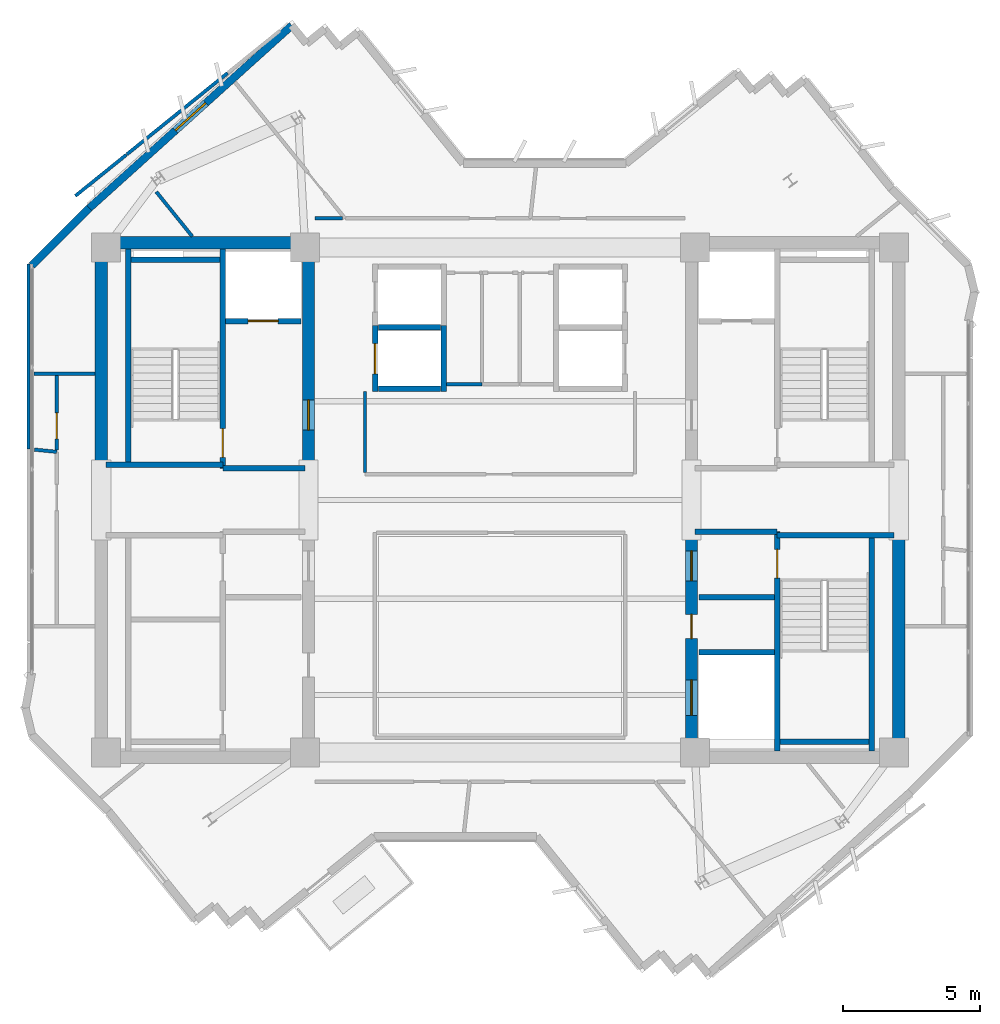
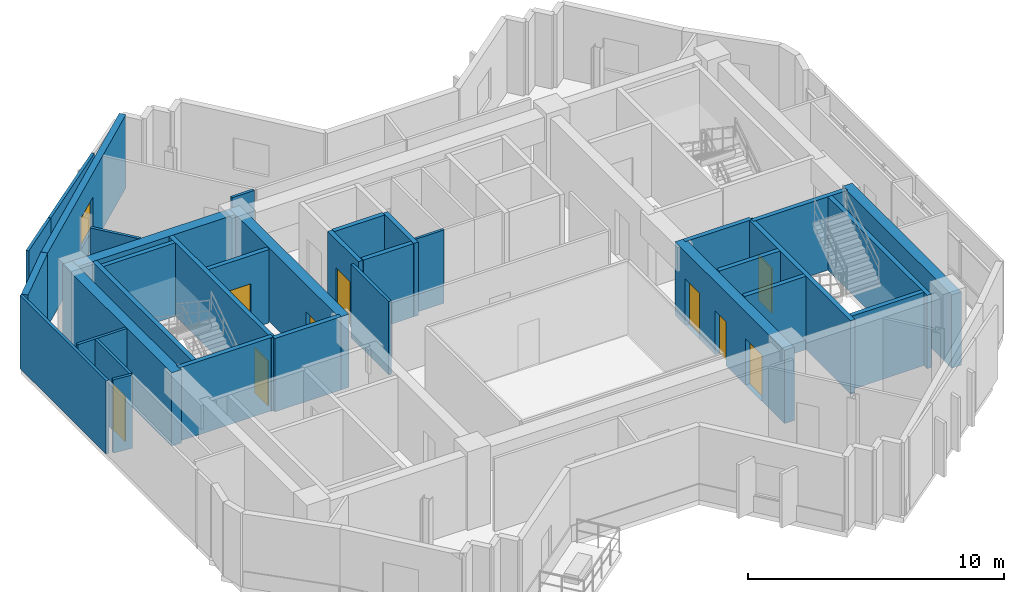
# One storey, part 7 of 11: 34 walls, 9 doors, 1 window, 10 openings.
"""IFC4 building model written with IfcOpenShell, lengths in metres."""

from ifc_helpers import new_model, si_unit, direction, frame, frame_2d, origin, place, context, subcontext, project, spatial, rectangle, extrude, source, transform, mapped, material, layer, layer_set, type_object, element, fill, save


model = new_model("IFC4")

# Units and contexts
model_context = context("Model", 3, precision=1e-05, world=origin(), true_north=direction((0.0, 1.0)))
body_context = subcontext(model_context, "Body", "Model", "MODEL_VIEW")
ifc_project = project(units=[si_unit("LENGTHUNIT", "METRE"), si_unit("AREAUNIT", "SQUARE_METRE"), si_unit("VOLUMEUNIT", "CUBIC_METRE"), si_unit("PLANEANGLEUNIT", "RADIAN"), si_unit("MASSUNIT", "GRAM", prefix="KILO")], contexts=[model_context])

# Site, building, storey
site_placement = place(None, origin())
site = spatial("IfcSite", under=ifc_project, at=site_placement, CompositionType="ELEMENT")
building_placement = place(site_placement, origin())
building = spatial("IfcBuilding", under=site, at=building_placement, Name="Zahravan Cultural Tower", CompositionType="ELEMENT")
storey_placement = place(building_placement, frame((0.0, 0.0, 287.85009765625)))
storey = spatial("IfcBuildingStorey", under=building, at=storey_placement, Name="L69", CompositionType="ELEMENT", Elevation=287.85009765625)

# Wall, opening, door
ifc_material_1 = material(Name="Concrete C50/60", Category="concrete")
ifc_layer_1 = layer(ifc_material_1, 0.449951171875)
ifc_layer_set_1 = layer_set([ifc_layer_1], Name="Concrete C50/60")
wall_type_1 = type_object("IfcWallType", Name="CW-SHEAR-450-C50", PredefinedType="SHEAR", material=ifc_layer_set_1)
wall_1_placement = place(storey_placement, frame((29.02490234375, 28.050048828125, 0.0), z_axis=(0.0, 0.0, 1.0), x_axis=(0.0, 1.0, 0.0)))
wall_1 = element("IfcWall", 1, at=wall_1_placement, inside=storey, type_object=wall_type_1, Name="L69 Core Shear Wall CW-W-EN-L69", PredefinedType="SHEAR", context=body_context, shape_type="SweptSolid", body=[
    extrude(rectangle(XDim=8.550048828125, YDim=0.449951171875, at=frame_2d((4.27490234375, 0.0))), origin(), (0.0, 0.0, 1.0), 3.5),
])
opening_1_placement = place(wall_1_placement, frame((1.5, 0.0, 0.0)))
opening_1 = element("IfcOpeningElement", 2, at=opening_1_placement, cuts=wall_1, Name="Opening D-L69-06", PredefinedType="OPENING", context=body_context, shape_type="SweptSolid", body=[
    extrude(rectangle(XDim=1.10009765625, YDim=2.199951171875, at=frame_2d((0.550048828125, 1.10009765625))), frame((0.0, 0.23486328125, 0.0), z_axis=(0.0, -1.0, 0.0), x_axis=(1.0, 0.0, 0.0)), (0.0, 0.0, 1.0), 0.469970703125),
])
ifc_material_2 = material(Name="Steel ASTM A572 Grade 50", Category="steel")
door_type_1 = type_object("IfcDoorType", Name="DR-LOBBY-1100", OperationType="NOTDEFINED", PredefinedType="DOOR", material=ifc_material_2)
shared_shape_1 = source(origin(), body_context, "Body", "SweptSolid", [
    extrude(rectangle(XDim=1.10009765625, YDim=2.199951171875, at=frame_2d((0.550048828125, 1.10009765625))), frame((0.0, 0.02490234375, 0.0), z_axis=(0.0, -1.0, 0.0), x_axis=(1.0, 0.0, 0.0)), (0.0, 0.0, 1.0), 0.050048828125),
])
door_1_placement = place(opening_1_placement, origin())
door_1 = element("IfcDoor", 3, at=door_1_placement, inside=storey, type_object=door_type_1, Name="L69 Door D-L69-06", OperationType="SINGLE_SWING_LEFT", OverallHeight=2.199951171875, OverallWidth=1.10009765625, PredefinedType="DOOR", context=body_context, shape_type="MappedRepresentation", body=[
    mapped(shared_shape_1, transform((0.0, 0.0, 0.0), x_axis=(1.0, 0.0, 0.0), y_axis=(0.0, 1.0, 0.0), z_axis=(0.0, 0.0, 1.0), scale=1.0)),
])
fill(opening_1, door_1)

# Wall, openings, doors
wall_2_placement = place(storey_placement, frame((42.97509765625, 17.39990234375, 0.0), z_axis=(0.0, 0.0, 1.0), x_axis=(0.0, 1.0, 0.0)))
wall_2 = element("IfcWall", 4, at=wall_2_placement, inside=storey, type_object=wall_type_1, Name="L69 Core Shear Wall CW-E-WS-L69", PredefinedType="SHEAR", context=body_context, shape_type="SweptSolid", body=[
    extrude(rectangle(XDim=8.550048828125, YDim=0.449951171875, at=frame_2d((4.27490234375, 0.0))), origin(), (0.0, 0.0, 1.0), 3.5),
])
opening_2_placement = place(wall_2_placement, frame((6.64990234375, 0.0, 0.0)))
opening_2 = element("IfcOpeningElement", 5, at=opening_2_placement, cuts=wall_2, Name="Opening D-L69-09", PredefinedType="OPENING", context=body_context, shape_type="SweptSolid", body=[
    extrude(rectangle(XDim=1.10009765625, YDim=2.199951171875, at=frame_2d((0.550048828125, 1.10009765625))), frame((0.0, 0.23486328125, 0.0), z_axis=(0.0, -1.0, 0.0), x_axis=(1.0, 0.0, 0.0)), (0.0, 0.0, 1.0), 0.469970703125),
])
opening_3_placement = place(wall_2_placement, frame((1.75, 0.0, 0.0)))
opening_3 = element("IfcOpeningElement", 6, at=opening_3_placement, cuts=wall_2, Name="Opening LD-L69-03", PredefinedType="OPENING", context=body_context, shape_type="SweptSolid", body=[
    extrude(rectangle(XDim=1.300048828125, YDim=2.199951171875, at=frame_2d((0.64990234375, 1.10009765625))), frame((0.0, 0.23486328125, 0.0), z_axis=(0.0, -1.0, 0.0), x_axis=(1.0, 0.0, 0.0)), (0.0, 0.0, 1.0), 0.469970703125),
])
opening_4_placement = place(wall_2_placement, frame((4.550048828125, 0.0, 0.0)))
opening_4 = element("IfcOpeningElement", 7, at=opening_4_placement, cuts=wall_2, Name="Opening D-L69-11", PredefinedType="OPENING", context=body_context, shape_type="SweptSolid", body=[
    extrude(rectangle(XDim=0.8798828125, YDim=2.10009765625, at=frame_2d((0.43994140625, 1.050048828125))), frame((0.0, 0.23486328125, 0.0), z_axis=(0.0, -1.0, 0.0), x_axis=(1.0, 0.0, 0.0)), (0.0, 0.0, 1.0), 0.469970703125),
])
door_2_placement = place(opening_2_placement, origin())
door_2 = element("IfcDoor", 8, at=door_2_placement, inside=storey, type_object=door_type_1, Name="L69 Door D-L69-09", OperationType="SINGLE_SWING_RIGHT", OverallHeight=2.199951171875, OverallWidth=1.10009765625, PredefinedType="DOOR", context=body_context, shape_type="MappedRepresentation", body=[
    mapped(shared_shape_1, transform((0.0, 0.0, 0.0), x_axis=(1.0, 0.0, 0.0), y_axis=(0.0, 1.0, 0.0), z_axis=(0.0, 0.0, 1.0), scale=1.0)),
])
fill(opening_2, door_2)
door_type_2 = type_object("IfcDoorType", Name="DR-LIFT-1300", OperationType="DOUBLE_DOOR_SLIDING", PredefinedType="DOOR", material=ifc_material_2)
shared_shape_2 = source(origin(), body_context, "Body", "SweptSolid", [
    extrude(rectangle(XDim=1.300048828125, YDim=2.199951171875, at=frame_2d((0.64990234375, 1.10009765625))), frame((0.0, 0.02490234375, 0.0), z_axis=(0.0, -1.0, 0.0), x_axis=(1.0, 0.0, 0.0)), (0.0, 0.0, 1.0), 0.050048828125),
])
door_3_placement = place(opening_3_placement, origin())
door_3 = element("IfcDoor", 9, at=door_3_placement, inside=storey, type_object=door_type_2, Name="L69 Door LD-L69-03", OperationType="DOUBLE_DOOR_SLIDING", OverallHeight=2.199951171875, OverallWidth=1.300048828125, PredefinedType="DOOR", context=body_context, shape_type="MappedRepresentation", body=[
    mapped(shared_shape_2, transform((0.0, 0.0, 0.0), x_axis=(1.0, 0.0, 0.0), y_axis=(0.0, 1.0, 0.0), z_axis=(0.0, 0.0, 1.0), scale=1.0)),
])
fill(opening_3, door_3)
door_type_3 = type_object("IfcDoorType", Name="DR-SVC-880", OperationType="NOTDEFINED", PredefinedType="DOOR", material=ifc_material_2)
shared_shape_3 = source(origin(), body_context, "Body", "SweptSolid", [
    extrude(rectangle(XDim=0.8798828125, YDim=2.10009765625, at=frame_2d((0.43994140625, 1.050048828125))), frame((0.0, 0.02490234375, 0.0), z_axis=(0.0, -1.0, 0.0), x_axis=(1.0, 0.0, 0.0)), (0.0, 0.0, 1.0), 0.050048828125),
])
door_4_placement = place(opening_4_placement, origin())
door_4 = element("IfcDoor", 10, at=door_4_placement, inside=storey, type_object=door_type_3, Name="L69 Door D-L69-11", OperationType="SINGLE_SWING_RIGHT", OverallHeight=2.10009765625, OverallWidth=0.8798828125, PredefinedType="DOOR", context=body_context, shape_type="MappedRepresentation", body=[
    mapped(shared_shape_3, transform((0.0, 0.0, 0.0), x_axis=(1.0, 0.0, 0.0), y_axis=(0.0, 1.0, 0.0), z_axis=(0.0, 0.0, 1.0), scale=1.0)),
])
fill(opening_4, door_4)

# Wall, opening, window
ifc_material_3 = material(Name="Precast concrete C40/50", Category="concrete")
ifc_layer_2 = layer(ifc_material_3, 0.280029296875)
ifc_layer_set_2 = layer_set([ifc_layer_2], Name="Precast concrete C40/50")
wall_type_2 = type_object("IfcWallType", Name="EW-TC-280", PredefinedType="SOLIDWALL", material=ifc_layer_set_2)
wall_3_placement = place(storey_placement, frame((21.0361328125, 37.63818359375, 0.0), z_axis=(0.0, 0.0, 1.0), x_axis=(0.742587457262, 0.669749108486, 0.0)))
wall_3 = element("IfcWall", 11, at=wall_3_placement, inside=storey, type_object=wall_type_2, Name="L69 Exterior Masonry Frame Wall 02", PredefinedType="SOLIDWALL", context=body_context, shape_type="SweptSolid", body=[
    extrude(rectangle(XDim=9.934814453125, YDim=0.280029296875, at=frame_2d((4.96728515625, 0.0))), origin(), (0.0, 0.0, 1.0), 3.5),
])
opening_5_placement = place(wall_3_placement, frame((4.217041015625, 0.0, 0.85009765625)))
opening_5 = element("IfcOpeningElement", 12, at=opening_5_placement, cuts=wall_3, Name="Opening WN-03", PredefinedType="OPENING", context=body_context, shape_type="SweptSolid", body=[
    extrude(rectangle(XDim=1.5, YDim=1.5, at=frame_2d((0.75, 0.75))), frame((0.0, 0.14990234375, 0.0), z_axis=(0.0, -1.0, 0.0), x_axis=(1.0, 0.0, 0.0)), (0.0, 0.0, 1.0), 0.300048828125),
])
ifc_material_4 = material(Name="Low-E solar-control double glazing", Category="glass")
window_type = type_object("IfcWindowType", Name="WN-REC-1500X1500", PartitioningType="SINGLE_PANEL", PredefinedType="WINDOW", material=ifc_material_4)
shared_shape_4 = source(origin(), body_context, "Body", "SweptSolid", [
    extrude(rectangle(XDim=1.5, YDim=1.5, at=frame_2d((0.75, 0.75))), frame((0.0, 0.030029296875, 0.0), z_axis=(0.0, -1.0, 0.0), x_axis=(1.0, 0.0, 0.0)), (0.0, 0.0, 1.0), 0.06005859375),
])
window_placement = place(opening_5_placement, origin())
window = element("IfcWindow", 13, at=window_placement, inside=storey, type_object=window_type, Name="L69 Recessed Solar Window 01", OverallHeight=1.5, OverallWidth=1.5, PartitioningType="SINGLE_PANEL", PredefinedType="WINDOW", context=body_context, shape_type="MappedRepresentation", body=[
    mapped(shared_shape_4, transform((0.0, 0.0, 0.0), x_axis=(1.0, 0.0, 0.0), y_axis=(0.0, 1.0, 0.0), z_axis=(0.0, 0.0, 1.0), scale=1.0)),
])
fill(opening_5, window)

# Wall, opening, door
ifc_material_5 = material(Name="Gypsum plasterboard partition")
ifc_layer_3 = layer(ifc_material_5, 0.125)
ifc_layer_set_3 = layer_set([ifc_layer_3], Name="Gypsum plasterboard partition")
wall_type_3 = type_object("IfcWallType", Name="W-PART-125", PredefinedType="PARTITIONING", material=ifc_layer_set_3)
wall_4_placement = place(storey_placement, frame((19.853515625, 31.599609375, 0.0), z_axis=(0.0, 0.0, 1.0), x_axis=(-0.00123022754, -0.99999924327, 0.0)))
wall_4 = element("IfcWall", 14, at=wall_4_placement, inside=storey, type_object=wall_type_3, Name="L69 Interior Wall 066", PredefinedType="PARTITIONING", context=body_context, shape_type="SweptSolid", body=[
    extrude(rectangle(XDim=2.7783203125, YDim=0.125, at=frame_2d((1.38916015625, 0.0))), origin(), (0.0, 0.0, 1.0), 3.5),
])
opening_6_placement = place(wall_4_placement, frame((1.42578125, 0.0, 0.0)))
opening_6 = element("IfcOpeningElement", 15, at=opening_6_placement, cuts=wall_4, Name="Opening D-L69-20", PredefinedType="OPENING", context=body_context, shape_type="SweptSolid", body=[
    extrude(rectangle(XDim=0.949951171875, YDim=2.14990234375, at=frame_2d((0.47509765625, 1.074951171875))), frame((0.0, 0.072509765625, 0.0), z_axis=(0.0, -1.0, 0.0), x_axis=(1.0, 0.0, 0.0)), (0.0, 0.0, 1.0), 0.14501953125),
])
ifc_material_6 = material(Name="Anodised bronze-aluminium mullion", Category="aluminium")
door_type_4 = type_object("IfcDoorType", Name="DR-ROOM-950", OperationType="NOTDEFINED", PredefinedType="DOOR", material=ifc_material_6)
shared_shape_5 = source(origin(), body_context, "Body", "SweptSolid", [
    extrude(rectangle(XDim=0.949951171875, YDim=2.14990234375, at=frame_2d((0.47509765625, 1.074951171875))), frame((0.0, 0.02490234375, 0.0), z_axis=(0.0, -1.0, 0.0), x_axis=(1.0, 0.0, 0.0)), (0.0, 0.0, 1.0), 0.050048828125),
])
door_5_placement = place(opening_6_placement, origin())
door_5 = element("IfcDoor", 16, at=door_5_placement, inside=storey, type_object=door_type_4, Name="L69 Door D-L69-20", OperationType="SINGLE_SWING_LEFT", OverallHeight=2.14990234375, OverallWidth=0.949951171875, PredefinedType="DOOR", context=body_context, shape_type="MappedRepresentation", body=[
    mapped(shared_shape_5, transform((0.0, 0.0, 0.0), x_axis=(1.0, 0.0, 0.0), y_axis=(0.0, 1.0, 0.0), z_axis=(0.0, 0.0, 1.0), scale=1.0)),
])
fill(opening_6, door_5)

ifc_material_7 = material(Name="Concrete C45/55", Category="concrete")
ifc_layer_4 = layer(ifc_material_7, 0.199951171875)
ifc_layer_set_4 = layer_set([ifc_layer_4], Name="Concrete C45/55")
wall_type_4 = type_object("IfcWallType", Name="W-SHAFT-200", PredefinedType="SOLIDWALL", material=ifc_layer_set_4)
wall_5_placement = place(storey_placement, frame((25.89990234375, 28.14990234375, 0.0), z_axis=(0.0, 0.0, 1.0), x_axis=(0.0, 1.0, 0.0)))
wall_5 = element("IfcWall", 17, at=wall_5_placement, inside=storey, type_object=wall_type_4, Name="L69 Interior Wall 006", PredefinedType="SOLIDWALL", context=body_context, shape_type="SweptSolid", body=[
    extrude(rectangle(XDim=8.0, YDim=0.199951171875, at=frame_2d((4.0, 0.0))), origin(), (0.0, 0.0, 1.0), 3.5),
])
opening_7_placement = place(wall_5_placement, frame((0.39990234375, 0.0, 0.0)))
opening_7 = element("IfcOpeningElement", 18, at=opening_7_placement, cuts=wall_5, Name="Opening D-L69-01", PredefinedType="OPENING", context=body_context, shape_type="SweptSolid", body=[
    extrude(rectangle(XDim=1.050048828125, YDim=2.14990234375, at=frame_2d((0.52490234375, 1.074951171875))), frame((0.0, 0.10986328125, 0.0), z_axis=(0.0, -1.0, 0.0), x_axis=(1.0, 0.0, 0.0)), (0.0, 0.0, 1.0), 0.219970703125),
])
door_type_5 = type_object("IfcDoorType", Name="DR-STAIR-1050", OperationType="NOTDEFINED", PredefinedType="DOOR", material=ifc_material_2)
shared_shape_6 = source(origin(), body_context, "Body", "SweptSolid", [
    extrude(rectangle(XDim=1.050048828125, YDim=2.14990234375, at=frame_2d((0.52490234375, 1.074951171875))), frame((0.0, 0.02490234375, 0.0), z_axis=(0.0, -1.0, 0.0), x_axis=(1.0, 0.0, 0.0)), (0.0, 0.0, 1.0), 0.050048828125),
])
door_6_placement = place(opening_7_placement, origin())
door_6 = element("IfcDoor", 19, at=door_6_placement, inside=storey, type_object=door_type_5, Name="L69 Door D-L69-01", OperationType="SINGLE_SWING_RIGHT", OverallHeight=2.14990234375, OverallWidth=1.050048828125, PredefinedType="DOOR", context=body_context, shape_type="MappedRepresentation", body=[
    mapped(shared_shape_6, transform((0.0, 0.0, 0.0), x_axis=(1.0, 0.0, 0.0), y_axis=(0.0, 1.0, 0.0), z_axis=(0.0, 0.0, 1.0), scale=1.0)),
])
fill(opening_7, door_6)

wall_6_placement = place(storey_placement, frame((46.10009765625, 17.85009765625, 0.0), z_axis=(0.0, 0.0, 1.0), x_axis=(0.0, 1.0, 0.0)))
wall_6 = element("IfcWall", 20, at=wall_6_placement, inside=storey, type_object=wall_type_4, Name="L69 Interior Wall 007", PredefinedType="SOLIDWALL", context=body_context, shape_type="SweptSolid", body=[
    extrude(rectangle(XDim=8.0, YDim=0.199951171875, at=frame_2d((4.0, 0.0))), origin(), (0.0, 0.0, 1.0), 3.5),
])
opening_8_placement = place(wall_6_placement, frame((6.300048828125, 0.0, 0.0)))
opening_8 = element("IfcOpeningElement", 21, at=opening_8_placement, cuts=wall_6, Name="Opening D-L69-03", PredefinedType="OPENING", context=body_context, shape_type="SweptSolid", body=[
    extrude(rectangle(XDim=1.050048828125, YDim=2.14990234375, at=frame_2d((0.52490234375, 1.074951171875))), frame((0.0, 0.10986328125, 0.0), z_axis=(0.0, -1.0, 0.0), x_axis=(1.0, 0.0, 0.0)), (0.0, 0.0, 1.0), 0.219970703125),
])
door_7_placement = place(opening_8_placement, origin())
door_7 = element("IfcDoor", 22, at=door_7_placement, inside=storey, type_object=door_type_5, Name="L69 Door D-L69-03", OperationType="SINGLE_SWING_RIGHT", OverallHeight=2.14990234375, OverallWidth=1.050048828125, PredefinedType="DOOR", context=body_context, shape_type="MappedRepresentation", body=[
    mapped(shared_shape_6, transform((0.0, 0.0, 0.0), x_axis=(1.0, 0.0, 0.0), y_axis=(0.0, 1.0, 0.0), z_axis=(0.0, 0.0, 1.0), scale=1.0)),
])
fill(opening_8, door_7)

wall_7_placement = place(storey_placement, frame((26.0, 33.52001953125, 0.0), z_axis=(0.0, 0.0, 1.0), x_axis=(1.0, 0.0, 0.0)))
wall_7 = element("IfcWall", 23, at=wall_7_placement, inside=storey, type_object=wall_type_4, Name="L69 Interior Wall 022", PredefinedType="SOLIDWALL", context=body_context, shape_type="SweptSolid", body=[
    extrude(rectangle(XDim=2.75, YDim=0.199951171875, at=frame_2d((1.375, 0.0))), origin(), (0.0, 0.0, 1.0), 3.5),
])
opening_9_placement = place(wall_7_placement, frame((0.820068359375, 0.0, 0.0)))
opening_9 = element("IfcOpeningElement", 24, at=opening_9_placement, cuts=wall_7, Name="Opening LD-L69-01", PredefinedType="OPENING", context=body_context, shape_type="SweptSolid", body=[
    extrude(rectangle(XDim=1.10009765625, YDim=2.14990234375, at=frame_2d((0.550048828125, 1.074951171875))), frame((0.0, 0.10986328125, 0.0), z_axis=(0.0, -1.0, 0.0), x_axis=(1.0, 0.0, 0.0)), (0.0, 0.0, 1.0), 0.219970703125),
])
door_type_6 = type_object("IfcDoorType", Name="DR-LIFT-1100", OperationType="DOUBLE_DOOR_SLIDING", PredefinedType="DOOR", material=ifc_material_2)
shared_shape_7 = source(origin(), body_context, "Body", "SweptSolid", [
    extrude(rectangle(XDim=1.10009765625, YDim=2.14990234375, at=frame_2d((0.550048828125, 1.074951171875))), frame((0.0, 0.02490234375, 0.0), z_axis=(0.0, -1.0, 0.0), x_axis=(1.0, 0.0, 0.0)), (0.0, 0.0, 1.0), 0.050048828125),
])
door_8_placement = place(opening_9_placement, origin())
door_8 = element("IfcDoor", 25, at=door_8_placement, inside=storey, type_object=door_type_6, Name="L69 Door LD-L69-01", OperationType="DOUBLE_DOOR_SLIDING", OverallHeight=2.14990234375, OverallWidth=1.10009765625, PredefinedType="DOOR", context=body_context, shape_type="MappedRepresentation", body=[
    mapped(shared_shape_7, transform((0.0, 0.0, 0.0), x_axis=(1.0, 0.0, 0.0), y_axis=(0.0, 1.0, 0.0), z_axis=(0.0, 0.0, 1.0), scale=1.0)),
])
fill(opening_9, door_8)

wall_8_placement = place(storey_placement, frame((31.449951171875, 30.949951171875, 0.0), z_axis=(0.0, 0.0, 1.0), x_axis=(0.0, 1.0, 0.0)))
wall_8 = element("IfcWall", 26, at=wall_8_placement, inside=storey, type_object=wall_type_4, Name="L69 Interior Wall 031", PredefinedType="SOLIDWALL", context=body_context, shape_type="SweptSolid", body=[
    extrude(rectangle(XDim=2.400146484375, YDim=0.199951171875, at=frame_2d((1.2001953125, 0.0))), origin(), (0.0, 0.0, 1.0), 3.5),
])
opening_10_placement = place(wall_8_placement, frame((0.64990234375, 0.0, 0.0)))
opening_10 = element("IfcOpeningElement", 27, at=opening_10_placement, cuts=wall_8, Name="Opening LD-L69-05", PredefinedType="OPENING", context=body_context, shape_type="SweptSolid", body=[
    extrude(rectangle(XDim=1.10009765625, YDim=2.14990234375, at=frame_2d((0.550048828125, 1.074951171875))), frame((0.0, 0.10986328125, 0.0), z_axis=(0.0, -1.0, 0.0), x_axis=(1.0, 0.0, 0.0)), (0.0, 0.0, 1.0), 0.219970703125),
])
door_9_placement = place(opening_10_placement, origin())
door_9 = element("IfcDoor", 28, at=door_9_placement, inside=storey, type_object=door_type_6, Name="L69 Door LD-L69-05", OperationType="DOUBLE_DOOR_SLIDING", OverallHeight=2.14990234375, OverallWidth=1.10009765625, PredefinedType="DOOR", context=body_context, shape_type="MappedRepresentation", body=[
    mapped(shared_shape_7, transform((0.0, 0.0, 0.0), x_axis=(1.0, 0.0, 0.0), y_axis=(0.0, 1.0, 0.0), z_axis=(0.0, 0.0, 1.0), scale=1.0)),
])
fill(opening_10, door_9)

# Walls
shared_shape_8 = source(origin(), body_context, "Body", "SweptSolid", [
    extrude(rectangle(XDim=8.550048828125, YDim=0.449951171875, at=frame_2d((4.27490234375, 0.0))), origin(), (0.0, 0.0, 1.0), 3.5),
])
for number, where, z_axis, x_axis, name in (
    (29, (21.47509765625, 28.050048828125, 0.0), (0.0, 0.0, 1.0), (0.0, 1.0, 0.0), "L69 Core Shear Wall CW-W-WN-L69"),
    (30, (50.52490234375, 17.39990234375, 0.0), (0.0, 0.0, 1.0), (0.0, 1.0, 0.0), "L69 Core Shear Wall CW-E-ES-L69"),
):
    element("IfcWall", number, at=place(storey_placement, frame(where, z_axis=z_axis, x_axis=x_axis)), inside=storey, type_object=wall_type_1, Name=name, PredefinedType="SHEAR", context=body_context, shape_type="MappedRepresentation", body=[
        mapped(shared_shape_8, transform((0.0, 0.0, 0.0), x_axis=(1.0, 0.0, 0.0), y_axis=(0.0, 1.0, 0.0), z_axis=(0.0, 0.0, 1.0), scale=1.0)),
    ])
shared_shape_9 = source(origin(), body_context, "Body", "SweptSolid", [
    extrude(rectangle(XDim=7.10009765625, YDim=0.449951171875, at=frame_2d((3.550048828125, 0.0))), origin(), (0.0, 0.0, 1.0), 3.5),
])
wall_9_placement = place(storey_placement, frame((21.699951171875, 36.375, 0.0), z_axis=(0.0, 0.0, 1.0), x_axis=(1.0, 0.0, 0.0)))
element("IfcWall", 31, at=wall_9_placement, inside=storey, type_object=wall_type_1, Name="L69 Core Shear Wall CW-W-N-L69", PredefinedType="SHEAR", context=body_context, shape_type="MappedRepresentation", body=[
    mapped(shared_shape_9, transform((0.0, 0.0, 0.0), x_axis=(1.0, 0.0, 0.0), y_axis=(0.0, 1.0, 0.0), z_axis=(0.0, 0.0, 1.0), scale=1.0)),
])
shared_shape_10 = source(origin(), body_context, "Body", "SweptSolid", [
    extrude(rectangle(XDim=2.96435546875, YDim=0.280029296875, at=frame_2d((1.482177734375, 0.0))), origin(), (0.0, 0.0, 1.0), 3.5),
])
wall_10_placement = place(storey_placement, frame((18.93994140625, 35.5419921875, 0.0), z_axis=(0.0, 0.0, 1.0), x_axis=(0.707106781187, 0.707106781187, 0.0)))
element("IfcWall", 32, at=wall_10_placement, inside=storey, type_object=wall_type_2, Name="L69 Exterior Masonry Frame Wall 01", PredefinedType="SOLIDWALL", context=body_context, shape_type="MappedRepresentation", body=[
    mapped(shared_shape_10, transform((0.0, 0.0, 0.0), x_axis=(1.0, 0.0, 0.0), y_axis=(0.0, 1.0, 0.0), z_axis=(0.0, 0.0, 1.0), scale=1.0)),
])
shared_shape_11 = source(origin(), body_context, "Body", "SweptSolid", [
    extrude(rectangle(XDim=7.869873046875, YDim=0.199951171875, at=frame_2d((3.93505859375, 0.0))), origin(), (0.0, 0.0, 1.0), 3.5),
])
for number, where, z_axis, x_axis, name in (
    (33, (22.449951171875, 28.280029296875, 0.0), (0.0, 0.0, 1.0), (0.0, 1.0, 0.0), "L69 Interior Wall 002"),
    (34, (49.550048828125, 17.85009765625, 0.0), (0.0, 0.0, 1.0), (0.0, 1.0, 0.0), "L69 Interior Wall 003"),
):
    element("IfcWall", number, at=place(storey_placement, frame(where, z_axis=z_axis, x_axis=x_axis)), inside=storey, type_object=wall_type_4, Name=name, PredefinedType="SOLIDWALL", context=body_context, shape_type="MappedRepresentation", body=[
        mapped(shared_shape_11, transform((0.0, 0.0, 0.0), x_axis=(1.0, 0.0, 0.0), y_axis=(0.0, 1.0, 0.0), z_axis=(0.0, 0.0, 1.0), scale=1.0)),
    ])
shared_shape_12 = source(origin(), body_context, "Body", "SweptSolid", [
    extrude(rectangle(XDim=4.25, YDim=0.199951171875, at=frame_2d((2.125, 0.0))), origin(), (0.0, 0.0, 1.0), 3.5),
])
for number, where, z_axis, x_axis, name in (
    (35, (21.64990234375, 28.284912109375, 0.0), (0.0, 0.0, 1.0), (1.0, 0.0, 0.0), "L69 Interior Wall 011"),
    (36, (46.10009765625, 25.715087890625, 0.0), (0.0, 0.0, 1.0), (1.0, 0.0, 0.0), "L69 Interior Wall 014"),
):
    element("IfcWall", number, at=place(storey_placement, frame(where, z_axis=z_axis, x_axis=x_axis)), inside=storey, type_object=wall_type_4, Name=name, PredefinedType="SOLIDWALL", context=body_context, shape_type="MappedRepresentation", body=[
        mapped(shared_shape_12, transform((0.0, 0.0, 0.0), x_axis=(1.0, 0.0, 0.0), y_axis=(0.0, 1.0, 0.0), z_axis=(0.0, 0.0, 1.0), scale=1.0)),
    ])
shared_shape_13 = source(origin(), body_context, "Body", "SweptSolid", [
    extrude(rectangle(XDim=3.0, YDim=0.199951171875, at=frame_2d((1.5, 0.0))), origin(), (0.0, 0.0, 1.0), 3.5),
])
for number, where, z_axis, x_axis, name in (
    (37, (25.89990234375, 28.14990234375, 0.0), (0.0, 0.0, 1.0), (1.0, 0.0, 0.0), "L69 Interior Wall 012"),
    (38, (43.10009765625, 25.85009765625, 0.0), (0.0, 0.0, 1.0), (1.0, 0.0, 0.0), "L69 Interior Wall 013"),
):
    element("IfcWall", number, at=place(storey_placement, frame(where, z_axis=z_axis, x_axis=x_axis)), inside=storey, type_object=wall_type_4, Name=name, PredefinedType="SOLIDWALL", context=body_context, shape_type="MappedRepresentation", body=[
        mapped(shared_shape_13, transform((0.0, 0.0, 0.0), x_axis=(1.0, 0.0, 0.0), y_axis=(0.0, 1.0, 0.0), z_axis=(0.0, 0.0, 1.0), scale=1.0)),
    ])
shared_shape_14 = source(origin(), body_context, "Body", "SweptSolid", [
    extrude(rectangle(XDim=3.25, YDim=0.199951171875, at=frame_2d((1.625, 0.0))), origin(), (0.0, 0.0, 1.0), 3.5),
])
for number, where, z_axis, x_axis, name in (
    (39, (22.550048828125, 35.75, 0.0), (0.0, 0.0, 1.0), (1.0, 0.0, 0.0), "L69 Interior Wall 017"),
    (40, (46.199951171875, 18.199951171875, 0.0), (0.0, 0.0, 1.0), (1.0, 0.0, 0.0), "L69 Interior Wall 020"),
):
    element("IfcWall", number, at=place(storey_placement, frame(where, z_axis=z_axis, x_axis=x_axis)), inside=storey, type_object=wall_type_4, Name=name, PredefinedType="SOLIDWALL", context=body_context, shape_type="MappedRepresentation", body=[
        mapped(shared_shape_14, transform((0.0, 0.0, 0.0), x_axis=(1.0, 0.0, 0.0), y_axis=(0.0, 1.0, 0.0), z_axis=(0.0, 0.0, 1.0), scale=1.0)),
    ])
shared_shape_15 = source(origin(), body_context, "Body", "SweptSolid", [
    extrude(rectangle(XDim=2.75, YDim=0.199951171875, at=frame_2d((1.375, 0.0))), origin(), (0.0, 0.0, 1.0), 3.5),
])
for number, where, z_axis, x_axis, name in (
    (41, (43.25, 23.449951171875, 0.0), (0.0, 0.0, 1.0), (1.0, 0.0, 0.0), "L69 Interior Wall 025"),
    (42, (43.25, 21.449951171875, 0.0), (0.0, 0.0, 1.0), (1.0, 0.0, 0.0), "L69 Interior Wall 026"),
):
    element("IfcWall", number, at=place(storey_placement, frame(where, z_axis=z_axis, x_axis=x_axis)), inside=storey, type_object=wall_type_4, Name=name, PredefinedType="SOLIDWALL", context=body_context, shape_type="MappedRepresentation", body=[
        mapped(shared_shape_15, transform((0.0, 0.0, 0.0), x_axis=(1.0, 0.0, 0.0), y_axis=(0.0, 1.0, 0.0), z_axis=(0.0, 0.0, 1.0), scale=1.0)),
    ])
shared_shape_16 = source(origin(), body_context, "Body", "SweptSolid", [
    extrude(rectangle(XDim=2.400146484375, YDim=0.199951171875, at=frame_2d((1.2001953125, 0.0))), origin(), (0.0, 0.0, 1.0), 3.5),
])
wall_11_placement = place(storey_placement, frame((33.949951171875, 30.949951171875, 0.0), z_axis=(0.0, 0.0, 1.0), x_axis=(0.0, 1.0, 0.0)))
element("IfcWall", 43, at=wall_11_placement, inside=storey, type_object=wall_type_4, Name="L69 Interior Wall 032", PredefinedType="SOLIDWALL", context=body_context, shape_type="MappedRepresentation", body=[
    mapped(shared_shape_16, transform((0.0, 0.0, 0.0), x_axis=(1.0, 0.0, 0.0), y_axis=(0.0, 1.0, 0.0), z_axis=(0.0, 0.0, 1.0), scale=1.0)),
])
shared_shape_17 = source(origin(), body_context, "Body", "SweptSolid", [
    extrude(rectangle(XDim=2.260009765625, YDim=0.199951171875, at=frame_2d((1.1298828125, 0.0))), origin(), (0.0, 0.0, 1.0), 3.5),
])
for number, where, z_axis, x_axis, name in (
    (44, (31.570068359375, 33.300048828125, 0.0), (0.0, 0.0, 1.0), (1.0, 0.0, 0.0), "L69 Interior Wall 029"),
    (45, (31.570068359375, 31.050048828125, 0.0), (0.0, 0.0, 1.0), (1.0, 0.0, 0.0), "L69 Interior Wall 033"),
):
    element("IfcWall", number, at=place(storey_placement, frame(where, z_axis=z_axis, x_axis=x_axis)), inside=storey, type_object=wall_type_4, Name=name, PredefinedType="SOLIDWALL", context=body_context, shape_type="MappedRepresentation", body=[
        mapped(shared_shape_17, transform((0.0, 0.0, 0.0), x_axis=(1.0, 0.0, 0.0), y_axis=(0.0, 1.0, 0.0), z_axis=(0.0, 0.0, 1.0), scale=1.0)),
    ])
shared_shape_18 = source(origin(), body_context, "Body", "SweptSolid", [
    extrude(rectangle(XDim=2.9423828125, YDim=0.125, at=frame_2d((1.47119140625, 0.0))), origin(), (0.0, 0.0, 1.0), 3.5),
])
wall_12_placement = place(storey_placement, frame((31.080078125, 28.007568359375, 0.0), z_axis=(0.0, 0.0, 1.0), x_axis=(0.0, 1.0, 0.0)))
element("IfcWall", 46, at=wall_12_placement, inside=storey, type_object=wall_type_3, Name="L69 Interior Wall 079", PredefinedType="PARTITIONING", context=body_context, shape_type="MappedRepresentation", body=[
    mapped(shared_shape_18, transform((0.0, 0.0, 0.0), x_axis=(1.0, 0.0, 0.0), y_axis=(0.0, 1.0, 0.0), z_axis=(0.0, 0.0, 1.0), scale=1.0)),
])
shared_shape_19 = source(origin(), body_context, "Body", "SweptSolid", [
    extrude(rectangle(XDim=4.72021484375, YDim=0.125, at=frame_2d((2.360107421875, 0.0))), origin(), (0.0, 0.0, 1.0), 3.5),
])
wall_13_placement = place(storey_placement, frame((22.401611328125, 39.59228515625, 0.0), z_axis=(0.0, 0.0, 1.0), x_axis=(0.778024801452, 0.628233561922, 0.0)))
element("IfcWall", 47, at=wall_13_placement, inside=storey, type_object=wall_type_3, Name="L69 Interior Wall 073", PredefinedType="PARTITIONING", context=body_context, shape_type="MappedRepresentation", body=[
    mapped(shared_shape_19, transform((0.0, 0.0, 0.0), x_axis=(1.0, 0.0, 0.0), y_axis=(0.0, 1.0, 0.0), z_axis=(0.0, 0.0, 1.0), scale=1.0)),
])
shared_shape_20 = source(origin(), body_context, "Body", "SweptSolid", [
    extrude(rectangle(XDim=2.389892578125, YDim=0.125, at=frame_2d((1.19482421875, 0.0))), origin(), (0.0, 0.0, 1.0), 3.5),
])
wall_14_placement = place(storey_placement, frame((20.526611328125, 38.078369140625, 0.0), z_axis=(0.0, 0.0, 1.0), x_axis=(0.778010315123, 0.628251501839, 0.0)))
element("IfcWall", 48, at=wall_14_placement, inside=storey, type_object=wall_type_3, Name="L69 Interior Wall 068", PredefinedType="PARTITIONING", context=body_context, shape_type="MappedRepresentation", body=[
    mapped(shared_shape_20, transform((0.0, 0.0, 0.0), x_axis=(1.0, 0.0, 0.0), y_axis=(0.0, 1.0, 0.0), z_axis=(0.0, 0.0, 1.0), scale=1.0)),
])
ifc_layer_5 = layer(ifc_material_5, 0.114990234375)
ifc_layer_set_5 = layer_set([ifc_layer_5], Name="Gypsum plasterboard partition")
wall_type_5 = type_object("IfcWallType", Name="W-WC-115", PredefinedType="PARTITIONING", material=ifc_layer_set_5)
shared_shape_21 = source(origin(), body_context, "Body", "SweptSolid", [
    extrude(rectangle(XDim=1.28515625, YDim=0.114990234375, at=frame_2d((0.642578125, 0.0))), origin(), (0.0, 0.0, 1.0), 3.5),
])
wall_15_placement = place(storey_placement, frame((35.340087890625, 31.219970703125, 0.0), z_axis=(0.0, 0.0, 1.0), x_axis=(-1.0, 0.0, 0.0)))
element("IfcWall", 49, at=wall_15_placement, inside=storey, type_object=wall_type_5, Name="L69 Interior Wall 044", PredefinedType="PARTITIONING", context=body_context, shape_type="MappedRepresentation", body=[
    mapped(shared_shape_21, transform((0.0, 0.0, 0.0), x_axis=(1.0, 0.0, 0.0), y_axis=(0.0, 1.0, 0.0), z_axis=(0.0, 0.0, 1.0), scale=1.0)),
])
shared_shape_22 = source(origin(), body_context, "Body", "SweptSolid", [
    extrude(rectangle(XDim=2.215087890625, YDim=0.125, at=frame_2d((1.107421875, 0.0))), origin(), (0.0, 0.0, 1.0), 3.5),
])
wall_16_placement = place(storey_placement, frame((21.2451171875, 31.60009765625, 0.0), z_axis=(0.0, 0.0, 1.0), x_axis=(-0.999999902817, -0.000440868468, 0.0)))
element("IfcWall", 50, at=wall_16_placement, inside=storey, type_object=wall_type_3, Name="L69 Interior Wall 070", PredefinedType="PARTITIONING", context=body_context, shape_type="MappedRepresentation", body=[
    mapped(shared_shape_22, transform((0.0, 0.0, 0.0), x_axis=(1.0, 0.0, 0.0), y_axis=(0.0, 1.0, 0.0), z_axis=(0.0, 0.0, 1.0), scale=1.0)),
])
shared_shape_23 = source(origin(), body_context, "Body", "SweptSolid", [
    extrude(rectangle(XDim=0.8193359375, YDim=0.125, at=frame_2d((0.40966796875, 0.0))), origin(), (0.0, 0.0, 1.0), 3.5),
])
wall_17_placement = place(storey_placement, frame((19.034912109375, 28.83642578125, 0.0), z_axis=(0.0, 0.0, 1.0), x_axis=(0.994885598115, -0.101008151471, 0.0)))
element("IfcWall", 51, at=wall_17_placement, inside=storey, type_object=wall_type_3, Name="L69 Interior Wall 054", PredefinedType="PARTITIONING", context=body_context, shape_type="MappedRepresentation", body=[
    mapped(shared_shape_23, transform((0.0, 0.0, 0.0), x_axis=(1.0, 0.0, 0.0), y_axis=(0.0, 1.0, 0.0), z_axis=(0.0, 0.0, 1.0), scale=1.0)),
])
shared_shape_24 = source(origin(), body_context, "Body", "SweptSolid", [
    extrude(rectangle(XDim=2.08935546875, YDim=0.125, at=frame_2d((1.044677734375, 0.0))), origin(), (0.0, 0.0, 1.0), 3.5),
])
wall_18_placement = place(storey_placement, frame((23.475341796875, 38.230712890625, 0.0), z_axis=(0.0, 0.0, 1.0), x_axis=(0.628165745158, -0.778079556735, 0.0)))
element("IfcWall", 52, at=wall_18_placement, inside=storey, type_object=wall_type_3, Name="L69 Interior Wall 069", PredefinedType="PARTITIONING", context=body_context, shape_type="MappedRepresentation", body=[
    mapped(shared_shape_24, transform((0.0, 0.0, 0.0), x_axis=(1.0, 0.0, 0.0), y_axis=(0.0, 1.0, 0.0), z_axis=(0.0, 0.0, 1.0), scale=1.0)),
])
shared_shape_25 = source(origin(), body_context, "Body", "SweptSolid", [
    extrude(rectangle(XDim=6.733642578125, YDim=0.125, at=frame_2d((3.36669921875, 0.0))), origin(), (0.0, 0.0, 1.0), 3.5),
])
wall_19_placement = place(storey_placement, frame((18.820068359375, 28.858154296875, 0.0), z_axis=(0.0, 0.0, 1.0), x_axis=(0.0, 1.0, 0.0)))
element("IfcWall", 53, at=wall_19_placement, inside=storey, type_object=wall_type_3, Name="L69 Interior Wall 067", PredefinedType="PARTITIONING", context=body_context, shape_type="MappedRepresentation", body=[
    mapped(shared_shape_25, transform((0.0, 0.0, 0.0), x_axis=(1.0, 0.0, 0.0), y_axis=(0.0, 1.0, 0.0), z_axis=(0.0, 0.0, 1.0), scale=1.0)),
])
shared_shape_26 = source(origin(), body_context, "Body", "SweptSolid", [
    extrude(rectangle(XDim=1.010986328125, YDim=0.125, at=frame_2d((0.50537109375, 0.0))), origin(), (0.0, 0.0, 1.0), 3.5),
])
wall_20_placement = place(storey_placement, frame((30.264404296875, 37.260009765625, 0.0), z_axis=(0.0, 0.0, 1.0), x_axis=(-0.999999883368, -0.00048297507, 0.0)))
element("IfcWall", 54, at=wall_20_placement, inside=storey, type_object=wall_type_3, Name="L69 Interior Wall 072", PredefinedType="PARTITIONING", context=body_context, shape_type="MappedRepresentation", body=[
    mapped(shared_shape_26, transform((0.0, 0.0, 0.0), x_axis=(1.0, 0.0, 0.0), y_axis=(0.0, 1.0, 0.0), z_axis=(0.0, 0.0, 1.0), scale=1.0)),
])

save(model, "model.ifc")
